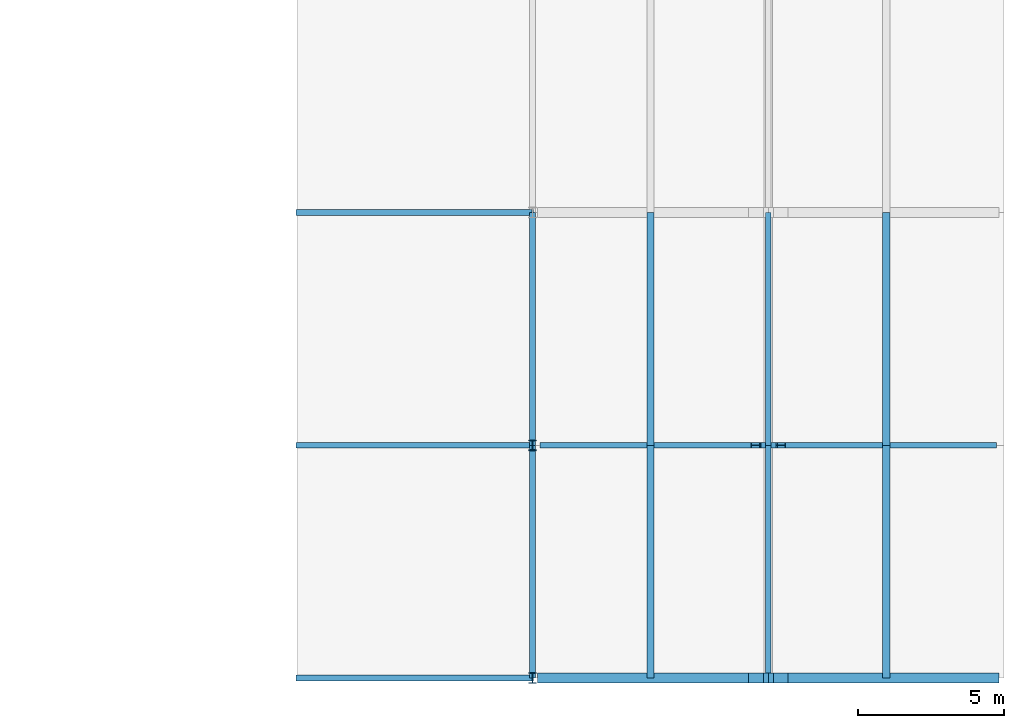
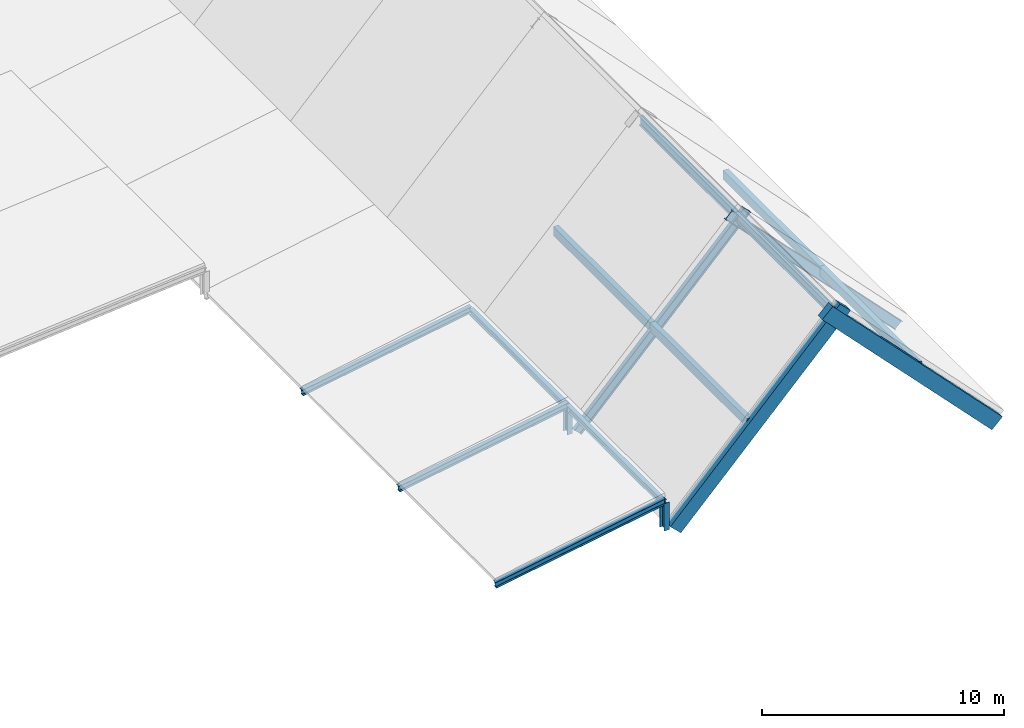
# One storey, part 38 of 107: 13 members, 4 beams.
"""IFC4 building model written with IfcOpenShell, lengths in metres."""

from ifc_helpers import new_model, si_unit, direction, frame, origin, origin_2d, place, context, subcontext, project, spatial, rectangle, i_section, extrude, material, material_profile, profile_set, type_object, element, save


model = new_model("IFC4")

# Units and contexts
model_context = context("Model", 3, precision=1e-05, world=origin(), true_north=direction((0.0, 1.0)))
body_context = subcontext(model_context, "Body", "Model", "MODEL_VIEW")
ifc_project = project(units=[si_unit("LENGTHUNIT", "METRE"), si_unit("AREAUNIT", "SQUARE_METRE"), si_unit("VOLUMEUNIT", "CUBIC_METRE"), si_unit("PLANEANGLEUNIT", "RADIAN"), si_unit("MASSUNIT", "GRAM", prefix="KILO")], contexts=[model_context])

# Site, building, storey
site_placement = place(None, origin())
site = spatial("IfcSite", under=ifc_project, at=site_placement, CompositionType="ELEMENT")
building_placement = place(site_placement, origin())
building = spatial("IfcBuilding", under=site, at=building_placement, Name="Tarnveldt Square Police Headquarters", CompositionType="ELEMENT")
storey_placement = place(building_placement, frame((0.0, 0.0, 14.699951171875)))
storey = spatial("IfcBuildingStorey", under=building, at=storey_placement, Name="L03", CompositionType="ELEMENT", Elevation=14.699951171875)

# Beams
ifc_material_1 = material(Name="Steel 350W", Category="steel")
ifc_material_profile_1 = material_profile(ifc_material_1, i_section(OverallWidth=0.202880859375, OverallDepth=0.302978515625, WebThickness=0.007568359375, FlangeThickness=0.01318359375, FilletRadius=0.014892578125, at=origin_2d()), Name="W310x60")
ifc_profile_set_1 = profile_set([ifc_material_profile_1], Name="Steel 350W")
beam_type_1 = type_object("IfcBeamType", Name="BM-W310x60", PredefinedType="JOIST", material=ifc_profile_set_1)
for number, where, z_axis, x_axis, name in (
    (1, (145.800048828125, 0.0, 0.97998046875), (0.0, 1.0, 0.0), (-1.0, 0.0, 0.0), "East Spine High-Eave Header 1"),
    (2, (145.800048828125, 8.0, 0.97998046875), (0.0, 1.0, 0.0), (-1.0, 0.0, 0.0), "East Spine High-Eave Header 2"),
):
    element("IfcBeam", number, at=place(storey_placement, frame(where, z_axis=z_axis, x_axis=x_axis)), inside=storey, type_object=beam_type_1, Name=name, PredefinedType="JOIST", context=body_context, shape_type="SweptSolid", body=[
        extrude(i_section(OverallWidth=0.202880859375, OverallDepth=0.302978515625, WebThickness=0.007568359375, FlangeThickness=0.01318359375, FilletRadius=0.014892578125, at=origin_2d()), origin(), (0.0, 0.0, 1.0), 8.0),
    ])
ifc_material_profile_2 = material_profile(ifc_material_1, i_section(OverallWidth=0.19189453125, OverallDepth=0.462890625, WebThickness=0.010498046875, FlangeThickness=0.017578125, FilletRadius=0.01806640625, at=origin_2d()), Name="W460x89")
ifc_profile_set_2 = profile_set([ifc_material_profile_2], Name="Steel 350W")
beam_type_2 = type_object("IfcBeamType", Name="BM-W460x89", PredefinedType="BEAM", material=ifc_profile_set_2)
for number, where, z_axis, x_axis, name in (
    (3, (153.89990234375, 0.0, 7.780029296875), (0.0, 1.0, 0.0), (-1.0, 0.0, 0.0), "Gabled Hall Ridge Beam 1"),
    (4, (153.89990234375, 8.0, 7.780029296875), (0.0, 1.0, 0.0), (-1.0, 0.0, 0.0), "Gabled Hall Ridge Beam 2"),
):
    element("IfcBeam", number, at=place(storey_placement, frame(where, z_axis=z_axis, x_axis=x_axis)), inside=storey, type_object=beam_type_2, Name=name, PredefinedType="BEAM", context=body_context, shape_type="SweptSolid", body=[
        extrude(i_section(OverallWidth=0.19189453125, OverallDepth=0.462890625, WebThickness=0.010498046875, FlangeThickness=0.017578125, FilletRadius=0.01806640625, at=origin_2d()), origin(), (0.0, 0.0, 1.0), 8.0),
    ])

# Members
ifc_material_profile_3 = material_profile(ifc_material_1, i_section(OverallWidth=0.257080078125, OverallDepth=0.363037109375, WebThickness=0.012939453125, FlangeThickness=0.021728515625, FilletRadius=0.01611328125, at=origin_2d()), Name="W360x122")
ifc_profile_set_3 = profile_set([ifc_material_profile_3], Name="Steel 350W")
member_type_1 = type_object("IfcMemberType", Name="MEM-CT-POST", PredefinedType="STRUT", material=ifc_profile_set_3)
for number, where, z_axis, x_axis, name in (
    (5, (145.800048828125, 0.0, -0.280029296875), (0.0, 0.0, 1.0), (1.0, 0.0, 0.0), "East Spine Shed High-Eave Post 1"),
    (6, (145.800048828125, 8.0, -0.280029296875), (0.0, 0.0, 1.0), (1.0, 0.0, 0.0), "East Spine Shed High-Eave Post 2"),
):
    element("IfcMember", number, at=place(storey_placement, frame(where, z_axis=z_axis, x_axis=x_axis)), inside=storey, type_object=member_type_1, Name=name, PredefinedType="STRUT", context=body_context, shape_type="SweptSolid", body=[
        extrude(i_section(OverallWidth=0.257080078125, OverallDepth=0.363037109375, WebThickness=0.012939453125, FlangeThickness=0.021728515625, FilletRadius=0.01611328125, at=origin_2d()), origin(), (0.0, 0.0, 1.0), 1.380126953125),
    ])
ifc_material_2 = material(Name="Precast concrete 35 MPa", Category="concrete")
ifc_material_profile_4 = material_profile(ifc_material_2, rectangle(XDim=0.25, YDim=0.449951171875, at=origin_2d()), Name="PC-PUR250x450")
ifc_profile_set_4 = profile_set([ifc_material_profile_4], Name="Precast concrete 35 MPa")
member_type_2 = type_object("IfcMemberType", Name="MEM-GAB-PUR1", PredefinedType="PURLIN", material=ifc_profile_set_4)
for number, where, z_axis, x_axis, name in (
    (7, (149.85009765625, 0.0, 3.64013671875), (0.0, 1.0, 0.0), (-1.0, 0.0, 0.0), "Gabled Hall Roof Purlin W-1"),
    (8, (157.949951171875, 0.0, 3.64013671875), (0.0, 1.0, 0.0), (-1.0, 0.0, 0.0), "Gabled Hall Roof Purlin E-1"),
    (9, (149.85009765625, 8.0, 3.64013671875), (0.0, 1.0, 0.0), (-1.0, 0.0, 0.0), "Gabled Hall Roof Purlin W-2"),
    (10, (157.949951171875, 8.0, 3.64013671875), (0.0, 1.0, 0.0), (-1.0, 0.0, 0.0), "Gabled Hall Roof Purlin E-2"),
):
    element("IfcMember", number, at=place(storey_placement, frame(where, z_axis=z_axis, x_axis=x_axis)), inside=storey, type_object=member_type_2, Name=name, PredefinedType="PURLIN", context=body_context, shape_type="SweptSolid", body=[
        extrude(rectangle(XDim=0.25, YDim=0.449951171875, at=origin_2d()), origin(), (0.0, 0.0, 1.0), 8.0),
    ])
ifc_material_profile_5 = material_profile(ifc_material_2, rectangle(XDim=0.35009765625, YDim=0.699951171875, at=origin_2d()), Name="PC-RAF350x700")
ifc_profile_set_5 = profile_set([ifc_material_profile_5], Name="Precast concrete 35 MPa")
member_type_3 = type_object("IfcMemberType", Name="MEM-GAB-RAF1", PredefinedType="RAFTER", material=ifc_profile_set_5)
member_1_placement = place(storey_placement, frame((146.224609375, 0.0, -0.409423828125), z_axis=(0.694144088606, 0.0, 0.719836081517), x_axis=(0.0, 1.0, 0.0)))
element("IfcMember", 11, at=member_1_placement, inside=storey, type_object=member_type_3, Name="Gabled Hall Rafter Frame GF-1 West", PredefinedType="RAFTER", context=body_context, shape_type="SweptSolid", body=[
    extrude(rectangle(XDim=0.35009765625, YDim=0.699951171875, at=origin_2d()), origin(), (0.0, 0.0, 1.0), 11.669189453125),
])
member_2_placement = place(storey_placement, frame((153.475341796875, 0.0, 7.990478515625), z_axis=(0.694133247437, 0.0, -0.719846535591), x_axis=(0.0, 1.0, 0.0)))
element("IfcMember", 12, at=member_2_placement, inside=storey, type_object=member_type_3, Name="Gabled Hall Rafter Frame GF-1 East", PredefinedType="RAFTER", context=body_context, shape_type="SweptSolid", body=[
    extrude(rectangle(XDim=0.35009765625, YDim=0.699951171875, at=origin_2d()), origin(), (0.0, 0.0, 1.0), 11.6689453125),
])
ifc_material_profile_6 = material_profile(ifc_material_1, i_section(OverallWidth=0.19189453125, OverallDepth=0.462890625, WebThickness=0.010498046875, FlangeThickness=0.017578125, FilletRadius=0.01806640625, at=origin_2d()), Name="W460x89")
ifc_profile_set_6 = profile_set([ifc_material_profile_6], Name="Steel 350W")
member_type_4 = type_object("IfcMemberType", Name="MEM-GAB-RAF2", PredefinedType="RAFTER", material=ifc_profile_set_6)
member_3_placement = place(storey_placement, frame((146.224609375, 8.0, -0.409423828125), z_axis=(0.694144088606, 0.0, 0.719836081517), x_axis=(0.0, 1.0, 0.0)))
element("IfcMember", 13, at=member_3_placement, inside=storey, type_object=member_type_4, Name="Gabled Hall Rafter Frame GF-2 West", PredefinedType="RAFTER", context=body_context, shape_type="SweptSolid", body=[
    extrude(i_section(OverallWidth=0.19189453125, OverallDepth=0.462890625, WebThickness=0.010498046875, FlangeThickness=0.017578125, FilletRadius=0.01806640625, at=origin_2d()), origin(), (0.0, 0.0, 1.0), 11.669189453125),
])
member_4_placement = place(storey_placement, frame((153.475341796875, 8.0, 7.990478515625), z_axis=(0.694133247437, 0.0, -0.719846535591), x_axis=(0.0, 1.0, 0.0)))
element("IfcMember", 14, at=member_4_placement, inside=storey, type_object=member_type_4, Name="Gabled Hall Rafter Frame GF-2 East", PredefinedType="RAFTER", context=body_context, shape_type="SweptSolid", body=[
    extrude(i_section(OverallWidth=0.19189453125, OverallDepth=0.462890625, WebThickness=0.010498046875, FlangeThickness=0.017578125, FilletRadius=0.01806640625, at=origin_2d()), origin(), (0.0, 0.0, 1.0), 11.6689453125),
])
ifc_material_profile_7 = material_profile(ifc_material_1, i_section(OverallWidth=0.202880859375, OverallDepth=0.302978515625, WebThickness=0.007568359375, FlangeThickness=0.01318359375, FilletRadius=0.014892578125, at=origin_2d()), Name="W310x60")
ifc_profile_set_7 = profile_set([ifc_material_profile_7], Name="Steel 350W")
member_type_5 = type_object("IfcMemberType", Name="MEM-L07-RAF", PredefinedType="RAFTER", material=ifc_profile_set_7)
for number, where, z_axis, x_axis, name in (
    (15, (137.699951171875, 0.0, -0.280029296875), (0.985387146875, 0.0, 0.17032959453), (0.0, 1.0, 0.0), "East Hall Spine Shed Rafter 1"),
    (16, (137.699951171875, 8.0, -0.280029296875), (0.985387146875, 0.0, 0.17032959453), (0.0, 1.0, 0.0), "East Hall Spine Shed Rafter 2"),
    (17, (137.699951171875, 16.0, -0.280029296875), (0.985387146875, 0.0, 0.17032959453), (0.0, 1.0, 0.0), "East Hall Spine Shed Rafter 3"),
):
    element("IfcMember", number, at=place(storey_placement, frame(where, z_axis=z_axis, x_axis=x_axis)), inside=storey, type_object=member_type_5, Name=name, PredefinedType="RAFTER", context=body_context, shape_type="SweptSolid", body=[
        extrude(i_section(OverallWidth=0.202880859375, OverallDepth=0.302978515625, WebThickness=0.007568359375, FlangeThickness=0.01318359375, FilletRadius=0.014892578125, at=origin_2d()), origin(), (0.0, 0.0, 1.0), 8.22021484375),
    ])

save(model, "model.ifc")
